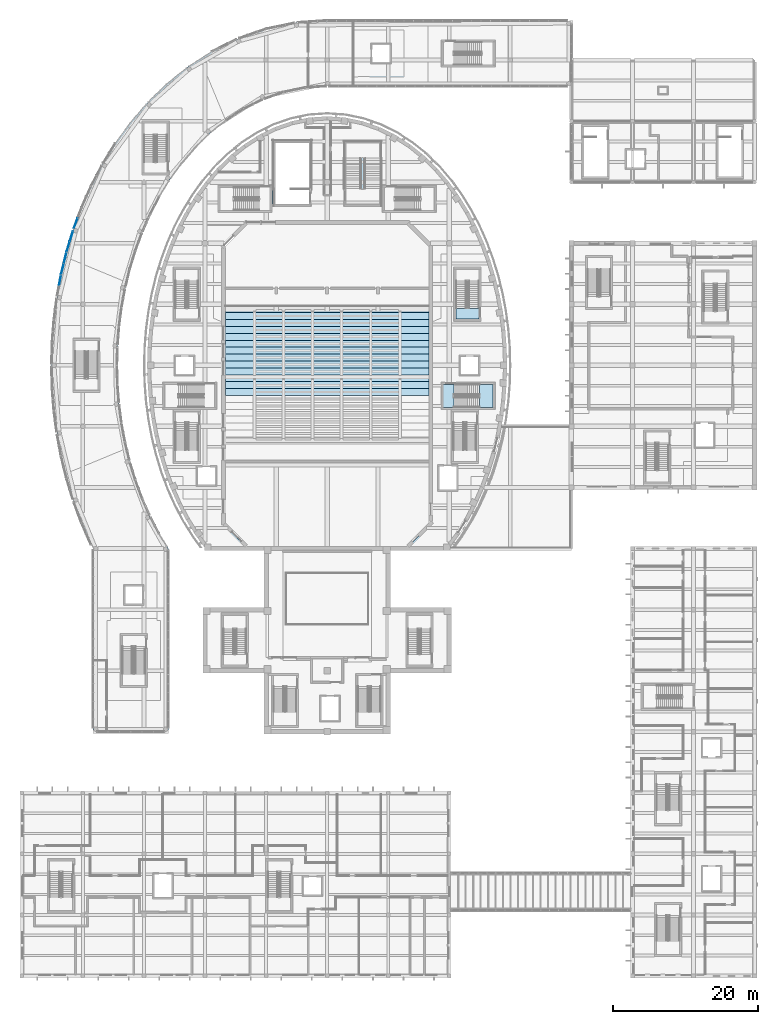
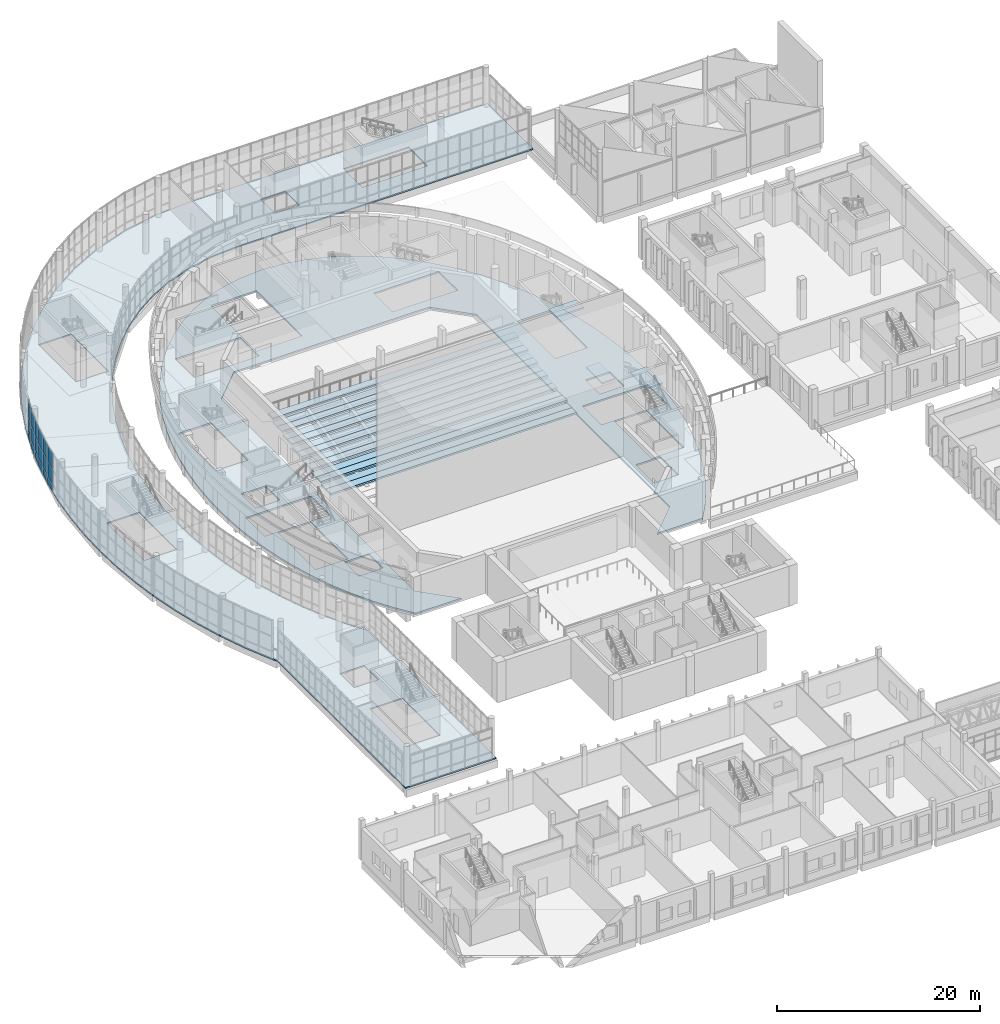
# One storey, part 49 of 119: 18 plates, 18 slabs, 6 elements without a shape of their own.
"""IFC4 building model written with IfcOpenShell, lengths in metres."""

from ifc_helpers import new_model, si_unit, direction, frame, origin, origin_2d, place, context, subcontext, project, spatial, polyline, rectangle, outline, extrude, material, layer, layer_set, type_object, element, aggregate, save


model = new_model("IFC4")

# Units and contexts
model_context = context("Model", 3, precision=1e-05, world=origin(), true_north=direction((0.0, 1.0)))
body_context = subcontext(model_context, "Body", "Model", "MODEL_VIEW")
ifc_project = project(units=[si_unit("LENGTHUNIT", "METRE"), si_unit("AREAUNIT", "SQUARE_METRE"), si_unit("VOLUMEUNIT", "CUBIC_METRE"), si_unit("PLANEANGLEUNIT", "RADIAN"), si_unit("MASSUNIT", "GRAM", prefix="KILO")], contexts=[model_context])

# Site, building, storey
site_placement = place(None, origin())
site = spatial("IfcSite", under=ifc_project, at=site_placement, CompositionType="ELEMENT")
building_placement = place(site_placement, origin())
building = spatial("IfcBuilding", under=site, at=building_placement, Name="Larchfold Concert Hall", CompositionType="ELEMENT")
storey_placement = place(building_placement, frame((0.0, 0.0, 4.800048828125)))
storey = spatial("IfcBuildingStorey", under=building, at=storey_placement, Name="L01", CompositionType="ELEMENT", Elevation=4.800048828125)

# Curtain wall, plates
ifc_material_1 = material(Name="Anodised graphite aluminium curtain wall", Category="aluminium")
ifc_layer_1 = layer(ifc_material_1, 0.14990234375)
ifc_layer_set_1 = layer_set([ifc_layer_1], Name="Anodised graphite aluminium curtain wall")
curtain_wall_type = type_object("IfcCurtainWallType", Name="Curtain wall WG", PredefinedType="NOTDEFINED", material=ifc_layer_set_1)
curtain_wall_1_placement = place(storey_placement, origin())
curtain_wall_1 = element("IfcCurtainWall", 1, at=curtain_wall_1_placement, inside=storey, type_object=curtain_wall_type, Name="Curtain wall CW0189", PredefinedType="NOTDEFINED")
ifc_material_2 = material(Name="Insulated glazing unit, glass", Category="glass")
ifc_layer_2 = layer(ifc_material_2, 0.028076171875)
ifc_layer_set_2 = layer_set([ifc_layer_2], Name="Insulated glazing unit, glass")
plate_type_1 = type_object("IfcPlateType", Name="Glass panel 28", PredefinedType="CURTAIN_PANEL", material=ifc_layer_set_2)
plate_1_placement = place(storey_placement, frame((8.01708984375, 104.129638671875, 0.93994140625), z_axis=(0.0, 0.0, 1.0), x_axis=(-0.346592402451, -0.938015834921, 0.0)))
plate_1 = element("IfcPlate", 2, at=plate_1_placement, type_object=plate_type_1, Name="CW0189 panel 2.2", PredefinedType="CURTAIN_PANEL", context=body_context, shape_type="SweptSolid", body=[
    extrude(rectangle(XDim=1.446533203125, YDim=0.028076171875, at=origin_2d()), origin(), (0.0, 0.0, 1.0), 1.719970703125),
])
plate_2_placement = place(storey_placement, frame((8.01708984375, 104.129638671875, 2.740234375), z_axis=(0.0, 0.0, 1.0), x_axis=(-0.346592402451, -0.938015834921, 0.0)))
plate_2 = element("IfcPlate", 3, at=plate_2_placement, type_object=plate_type_1, Name="CW0189 panel 2.3", PredefinedType="CURTAIN_PANEL", context=body_context, shape_type="SweptSolid", body=[
    extrude(rectangle(XDim=1.446533203125, YDim=0.028076171875, at=origin_2d()), origin(), (0.0, 0.0, 1.0), 1.829833984375),
])

curtain_wall_2_placement = place(storey_placement, origin())
curtain_wall_2 = element("IfcCurtainWall", 4, at=curtain_wall_2_placement, inside=storey, type_object=curtain_wall_type, Name="Curtain wall CW0190", PredefinedType="NOTDEFINED")
plate_3_placement = place(storey_placement, frame((7.412109375, 102.3310546875, 0.93994140625), z_axis=(0.0, 0.0, 1.0), x_axis=(-0.290621975967, -0.956837952364, 0.0)))
plate_3 = element("IfcPlate", 5, at=plate_3_placement, type_object=plate_type_1, Name="CW0190 panel 1.2", PredefinedType="CURTAIN_PANEL", context=body_context, shape_type="SweptSolid", body=[
    extrude(rectangle(XDim=1.431396484375, YDim=0.028076171875, at=origin_2d()), origin(), (0.0, 0.0, 1.0), 1.719970703125),
])
plate_4_placement = place(storey_placement, frame((7.412109375, 102.3310546875, 2.740234375), z_axis=(0.0, 0.0, 1.0), x_axis=(-0.290621975967, -0.956837952364, 0.0)))
plate_4 = element("IfcPlate", 6, at=plate_4_placement, type_object=plate_type_1, Name="CW0190 panel 1.3", PredefinedType="CURTAIN_PANEL", context=body_context, shape_type="SweptSolid", body=[
    extrude(rectangle(XDim=1.431396484375, YDim=0.028076171875, at=origin_2d()), origin(), (0.0, 0.0, 1.0), 1.829833984375),
])
plate_5_placement = place(storey_placement, frame((6.978515625, 100.904052734375, 0.93994140625), z_axis=(0.0, 0.0, 1.0), x_axis=(-0.290621975967, -0.956837952364, 0.0)))
plate_5 = element("IfcPlate", 7, at=plate_5_placement, type_object=plate_type_1, Name="CW0190 panel 2.2", PredefinedType="CURTAIN_PANEL", context=body_context, shape_type="SweptSolid", body=[
    extrude(rectangle(XDim=1.431396484375, YDim=0.028076171875, at=origin_2d()), origin(), (0.0, 0.0, 1.0), 1.719970703125),
])
plate_6_placement = place(storey_placement, frame((6.978515625, 100.904052734375, 2.740234375), z_axis=(0.0, 0.0, 1.0), x_axis=(-0.290621975967, -0.956837952364, 0.0)))
plate_6 = element("IfcPlate", 8, at=plate_6_placement, type_object=plate_type_1, Name="CW0190 panel 2.3", PredefinedType="CURTAIN_PANEL", context=body_context, shape_type="SweptSolid", body=[
    extrude(rectangle(XDim=1.431396484375, YDim=0.028076171875, at=origin_2d()), origin(), (0.0, 0.0, 1.0), 1.829833984375),
])

curtain_wall_3_placement = place(storey_placement, origin())
curtain_wall_3 = element("IfcCurtainWall", 9, at=curtain_wall_3_placement, inside=storey, type_object=curtain_wall_type, Name="Curtain wall CW0191", PredefinedType="NOTDEFINED")
plate_7_placement = place(storey_placement, frame((6.56201171875, 99.37451171875, 0.93994140625), z_axis=(0.0, 0.0, 1.0), x_axis=(-0.235938309687, -0.97176803509, 0.0)))
plate_7 = element("IfcPlate", 10, at=plate_7_placement, type_object=plate_type_1, Name="CW0191 panel 1.2", PredefinedType="CURTAIN_PANEL", context=body_context, shape_type="SweptSolid", body=[
    extrude(rectangle(XDim=1.50048828125, YDim=0.028076171875, at=origin_2d()), origin(), (0.0, 0.0, 1.0), 1.719970703125),
])
plate_8_placement = place(storey_placement, frame((6.56201171875, 99.37451171875, 2.740234375), z_axis=(0.0, 0.0, 1.0), x_axis=(-0.235938309687, -0.97176803509, 0.0)))
plate_8 = element("IfcPlate", 11, at=plate_8_placement, type_object=plate_type_1, Name="CW0191 panel 1.3", PredefinedType="CURTAIN_PANEL", context=body_context, shape_type="SweptSolid", body=[
    extrude(rectangle(XDim=1.50048828125, YDim=0.028076171875, at=origin_2d()), origin(), (0.0, 0.0, 1.0), 1.829833984375),
])
plate_9_placement = place(storey_placement, frame((6.19384765625, 97.858154296875, 0.93994140625), z_axis=(0.0, 0.0, 1.0), x_axis=(-0.235938309687, -0.97176803509, 0.0)))
plate_9 = element("IfcPlate", 12, at=plate_9_placement, type_object=plate_type_1, Name="CW0191 panel 2.2", PredefinedType="CURTAIN_PANEL", context=body_context, shape_type="SweptSolid", body=[
    extrude(rectangle(XDim=1.50048828125, YDim=0.028076171875, at=origin_2d()), origin(), (0.0, 0.0, 1.0), 1.719970703125),
])
plate_10_placement = place(storey_placement, frame((6.19384765625, 97.858154296875, 2.740234375), z_axis=(0.0, 0.0, 1.0), x_axis=(-0.235938309687, -0.97176803509, 0.0)))
plate_10 = element("IfcPlate", 13, at=plate_10_placement, type_object=plate_type_1, Name="CW0191 panel 2.3", PredefinedType="CURTAIN_PANEL", context=body_context, shape_type="SweptSolid", body=[
    extrude(rectangle(XDim=1.50048828125, YDim=0.028076171875, at=origin_2d()), origin(), (0.0, 0.0, 1.0), 1.829833984375),
])

curtain_wall_4_placement = place(storey_placement, origin())
curtain_wall_4 = element("IfcCurtainWall", 14, at=curtain_wall_4_placement, inside=storey, type_object=curtain_wall_type, Name="Curtain wall CW0192", PredefinedType="NOTDEFINED")
plate_11_placement = place(storey_placement, frame((5.863525390625, 96.32080078125, 0.93994140625), z_axis=(0.0, 0.0, 1.0), x_axis=(-0.182346464695, -0.983234339724, 0.0)))
plate_11 = element("IfcPlate", 15, at=plate_11_placement, type_object=plate_type_1, Name="CW0192 panel 1.2", PredefinedType="CURTAIN_PANEL", context=body_context, shape_type="SweptSolid", body=[
    extrude(rectangle(XDim=1.405517578125, YDim=0.028076171875, at=origin_2d()), origin(), (0.0, 0.0, 1.0), 1.719970703125),
])
plate_12_placement = place(storey_placement, frame((5.863525390625, 96.32080078125, 2.740234375), z_axis=(0.0, 0.0, 1.0), x_axis=(-0.182346464695, -0.983234339724, 0.0)))
plate_12 = element("IfcPlate", 16, at=plate_12_placement, type_object=plate_type_1, Name="CW0192 panel 1.3", PredefinedType="CURTAIN_PANEL", context=body_context, shape_type="SweptSolid", body=[
    extrude(rectangle(XDim=1.405517578125, YDim=0.028076171875, at=origin_2d()), origin(), (0.0, 0.0, 1.0), 1.829833984375),
])

# Plate
ifc_material_3 = material(Name="White insulated panel")
ifc_layer_3 = layer(ifc_material_3, 0.06005859375)
ifc_layer_set_3 = layer_set([ifc_layer_3], Name="White insulated panel")
plate_type_2 = type_object("IfcPlateType", Name="Insulated spandrel panel 60", PredefinedType="CURTAIN_PANEL", material=ifc_layer_set_3)
plate_13_placement = place(storey_placement, frame((8.01708984375, 104.129638671875, 0.080078125), z_axis=(0.0, 0.0, 1.0), x_axis=(-0.346592402451, -0.938015834921, 0.0)))
plate_13 = element("IfcPlate", 17, at=plate_13_placement, type_object=plate_type_2, Name="CW0189 panel 2.1", PredefinedType="CURTAIN_PANEL", context=body_context, shape_type="SweptSolid", body=[
    extrude(rectangle(XDim=1.446533203125, YDim=0.06005859375, at=origin_2d()), origin(), (0.0, 0.0, 1.0), 0.77978515625),
])

aggregate(curtain_wall_1, [plate_13, plate_1, plate_2])

plate_14_placement = place(storey_placement, frame((7.412109375, 102.3310546875, 0.080078125), z_axis=(0.0, 0.0, 1.0), x_axis=(-0.290621975967, -0.956837952364, 0.0)))
plate_14 = element("IfcPlate", 18, at=plate_14_placement, type_object=plate_type_2, Name="CW0190 panel 1.1", PredefinedType="CURTAIN_PANEL", context=body_context, shape_type="SweptSolid", body=[
    extrude(rectangle(XDim=1.431396484375, YDim=0.06005859375, at=origin_2d()), origin(), (0.0, 0.0, 1.0), 0.77978515625),
])

plate_15_placement = place(storey_placement, frame((6.978515625, 100.904052734375, 0.080078125), z_axis=(0.0, 0.0, 1.0), x_axis=(-0.290621975967, -0.956837952364, 0.0)))
plate_15 = element("IfcPlate", 19, at=plate_15_placement, type_object=plate_type_2, Name="CW0190 panel 2.1", PredefinedType="CURTAIN_PANEL", context=body_context, shape_type="SweptSolid", body=[
    extrude(rectangle(XDim=1.431396484375, YDim=0.06005859375, at=origin_2d()), origin(), (0.0, 0.0, 1.0), 0.77978515625),
])

aggregate(curtain_wall_2, [plate_14, plate_3, plate_4, plate_15, plate_5, plate_6])

plate_16_placement = place(storey_placement, frame((6.56201171875, 99.37451171875, 0.080078125), z_axis=(0.0, 0.0, 1.0), x_axis=(-0.235938309687, -0.97176803509, 0.0)))
plate_16 = element("IfcPlate", 20, at=plate_16_placement, type_object=plate_type_2, Name="CW0191 panel 1.1", PredefinedType="CURTAIN_PANEL", context=body_context, shape_type="SweptSolid", body=[
    extrude(rectangle(XDim=1.50048828125, YDim=0.06005859375, at=origin_2d()), origin(), (0.0, 0.0, 1.0), 0.77978515625),
])

plate_17_placement = place(storey_placement, frame((6.19384765625, 97.858154296875, 0.080078125), z_axis=(0.0, 0.0, 1.0), x_axis=(-0.235938309687, -0.97176803509, 0.0)))
plate_17 = element("IfcPlate", 21, at=plate_17_placement, type_object=plate_type_2, Name="CW0191 panel 2.1", PredefinedType="CURTAIN_PANEL", context=body_context, shape_type="SweptSolid", body=[
    extrude(rectangle(XDim=1.50048828125, YDim=0.06005859375, at=origin_2d()), origin(), (0.0, 0.0, 1.0), 0.77978515625),
])

aggregate(curtain_wall_3, [plate_16, plate_7, plate_8, plate_17, plate_9, plate_10])

plate_18_placement = place(storey_placement, frame((5.863525390625, 96.32080078125, 0.080078125), z_axis=(0.0, 0.0, 1.0), x_axis=(-0.182346464695, -0.983234339724, 0.0)))
plate_18 = element("IfcPlate", 22, at=plate_18_placement, type_object=plate_type_2, Name="CW0192 panel 1.1", PredefinedType="CURTAIN_PANEL", context=body_context, shape_type="SweptSolid", body=[
    extrude(rectangle(XDim=1.405517578125, YDim=0.06005859375, at=origin_2d()), origin(), (0.0, 0.0, 1.0), 0.77978515625),
])

aggregate(curtain_wall_4, [plate_18, plate_11, plate_12])

# Slabs
ifc_material_4 = material(Name="Concrete C35/45", Category="concrete")
ifc_layer_4 = layer(ifc_material_4, 0.14990234375)
ifc_layer_set_4 = layer_set([ifc_layer_4], Name="Concrete C35/45")
slab_type_1 = type_object("IfcSlabType", Name="Slab 150 on joists", PredefinedType="FLOOR", material=ifc_layer_set_4)
slab_1_placement = place(storey_placement, frame((0.0, 0.0, -0.150146484375)))
element("IfcSlab", 23, at=slab_1_placement, inside=storey, type_object=slab_type_1, Name="Slab S0010", PredefinedType="FLOOR", context=body_context, shape_type="SweptSolid", body=[
    extrude(outline(polyline([(20.748779296875, 34.199951171875), (20.748779296875, 59.39990234375), (19.5185546875, 61.3994140625), (18.2529296875, 63.821044921875), (17.15625, 66.303955078125), (16.22021484375, 68.8369140625), (15.43896484375, 71.40966796875), (14.806884765625, 74.01318359375), (14.319580078125, 76.64013671875), (13.973876953125, 79.2841796875), (13.767333984375, 81.939453125), (13.69873046875, 84.60009765625), (13.767333984375, 87.2607421875), (13.973876953125, 89.916015625), (14.319580078125, 92.56005859375), (14.806884765625, 95.18701171875), (15.43896484375, 97.79052734375), (16.22021484375, 100.36328125), (17.15625, 102.896240234375), (18.2529296875, 105.379150390625), (19.5185546875, 107.80078125), (20.961669921875, 110.145751953125), (22.591552734375, 112.39599609375), (24.41748046875, 114.52783203125), (26.4482421875, 116.513427734375), (28.689697265625, 118.3173828125), (31.140625, 119.8974609375), (33.79150390625, 121.204833984375), (36.61669921875, 122.18896484375), (39.57275390625, 122.802001953125), (42.60009765625, 123.010498046875), (76.199951171875, 123.0), (76.199951171875, 132.0), (42.60009765625, 132.0), (38.343994140625, 131.738525390625), (34.212890625, 130.8818359375), (30.3076171875, 129.521728515625), (26.697509765625, 127.740966796875), (23.41552734375, 125.62548828125), (20.466796875, 123.252197265625), (17.841064453125, 120.6845703125), (15.517822265625, 117.972412109375), (13.47412109375, 115.151123046875), (11.688232421875, 112.2490234375), (10.139892578125, 109.285888671875), (8.810791015625, 106.277587890625), (7.685791015625, 103.23291015625), (6.753173828125, 100.161865234375), (6.002685546875, 97.07080078125), (5.4267578125, 93.96533203125), (5.01904296875, 90.84912109375), (4.7763671875, 87.725830078125), (4.695556640625, 84.60009765625), (4.7763671875, 81.474365234375), (5.01904296875, 78.35107421875), (5.4267578125, 75.23486328125), (6.002685546875, 72.12939453125), (6.753173828125, 69.038330078125), (7.685791015625, 65.96728515625), (8.810791015625, 62.922607421875), (10.139892578125, 59.914306640625), (10.408447265625, 59.39990234375), (10.408447265625, 34.199951171875), (20.748779296875, 34.199951171875)]), holes=[polyline([(14.14990234375, 40.300048828125), (14.14990234375, 47.699951171875), (17.85009765625, 47.699951171875), (17.85009765625, 40.300048828125), (14.14990234375, 40.300048828125)]), polyline([(14.60009765625, 54.39990234375), (17.39990234375, 54.39990234375), (17.39990234375, 51.60009765625), (14.60009765625, 51.60009765625), (14.60009765625, 54.39990234375)]), polyline([(7.64990234375, 88.300048828125), (11.35009765625, 88.300048828125), (11.35009765625, 80.89990234375), (7.64990234375, 80.89990234375), (7.64990234375, 88.300048828125)]), polyline([(17.14990234375, 110.800048828125), (17.14990234375, 118.199951171875), (20.85009765625, 118.199951171875), (20.85009765625, 110.800048828125), (17.14990234375, 110.800048828125)]), polyline([(48.60009765625, 128.89990234375), (51.39990234375, 128.89990234375), (51.39990234375, 126.10009765625), (48.60009765625, 126.10009765625), (48.60009765625, 128.89990234375)]), polyline([(58.300048828125, 129.35009765625), (65.699951171875, 129.35009765625), (65.699951171875, 125.64990234375), (58.300048828125, 125.64990234375), (58.300048828125, 129.35009765625)])]), origin(), (0.0, 0.0, 1.0), 0.150146484375),
])
ifc_material_5 = material(Name="Concrete C35/45", Category="concrete")
ifc_layer_5 = layer(ifc_material_5, 0.199951171875)
ifc_layer_set_5 = layer_set([ifc_layer_5], Name="Concrete C35/45")
slab_type_2 = type_object("IfcSlabType", Name="Slab 200", PredefinedType="FLOOR", material=ifc_layer_set_5)
slab_2_placement = place(storey_placement, frame((0.0, 0.0, -0.2001953125)))
element("IfcSlab", 24, at=slab_2_placement, inside=storey, type_object=slab_type_2, Name="Slab S0007", PredefinedType="FLOOR", context=body_context, shape_type="SweptSolid", body=[
    extrude(outline(polyline([(24.913818359375, 61.515380859375), (26.27978515625, 59.64990234375), (31.45751953125, 59.64990234375), (28.078857421875, 63.02880859375), (28.070068359375, 101.10009765625), (31.478759765625, 104.521240234375), (53.699951171875, 104.530029296875), (57.121337890625, 101.121337890625), (57.130126953125, 63.050048828125), (53.742431640625, 59.64990234375), (58.92041015625, 59.64990234375), (60.286376953125, 61.515380859375), (61.56884765625, 63.580078125), (62.703125, 65.731201171875), (63.69287109375, 67.953369140625), (64.541748046875, 70.234375), (65.253662109375, 72.562255859375), (65.83203125, 74.927490234375), (66.27880859375, 77.321533203125), (66.5966796875, 79.736328125), (66.786865234375, 82.164794921875), (66.85009765625, 84.60009765625), (66.78759765625, 87.020263671875), (66.599853515625, 89.433837890625), (66.285888671875, 91.833984375), (65.844482421875, 94.2138671875), (65.273681640625, 96.5654296875), (64.570556640625, 98.88037109375), (63.732177734375, 101.149169921875), (62.75537109375, 103.360595703125), (61.635986328125, 105.502685546875), (60.3701171875, 107.5595703125), (58.953857421875, 109.514892578125), (57.384765625, 111.3466796875), (55.661376953125, 113.03173828125), (53.78564453125, 114.541748046875), (51.763671875, 115.844970703125), (49.60888671875, 116.907958984375), (47.34130859375, 117.697509765625), (44.992431640625, 118.1845703125), (42.60009765625, 118.349609375), (40.207763671875, 118.1845703125), (37.85888671875, 117.697509765625), (35.59130859375, 116.907958984375), (33.4365234375, 115.844970703125), (31.41455078125, 114.541748046875), (29.538818359375, 113.03173828125), (27.8154296875, 111.3466796875), (26.246337890625, 109.514892578125), (24.830078125, 107.5595703125), (23.564208984375, 105.502685546875), (22.44482421875, 103.360595703125), (21.468017578125, 101.149169921875), (20.629638671875, 98.88037109375), (19.926513671875, 96.5654296875), (19.355712890625, 94.2138671875), (18.914306640625, 91.833984375), (18.600341796875, 89.433837890625), (18.41259765625, 87.020263671875), (18.35009765625, 84.60009765625), (18.413330078125, 82.164794921875), (18.603515625, 79.736328125), (18.92138671875, 77.321533203125), (19.3681640625, 74.927490234375), (19.946533203125, 72.562255859375), (20.658447265625, 70.234375), (21.50732421875, 67.953369140625), (22.4970703125, 65.731201171875), (23.63134765625, 63.580078125), (24.913818359375, 61.515380859375)]), holes=[polyline([(24.60009765625, 70.800048828125), (27.39990234375, 70.800048828125), (27.39990234375, 68.0), (24.60009765625, 68.0), (24.60009765625, 70.800048828125)]), polyline([(25.14990234375, 78.5), (25.14990234375, 71.10009765625), (21.449951171875, 71.10009765625), (21.449951171875, 78.5), (25.14990234375, 78.5)]), polyline([(27.39990234375, 82.25), (27.39990234375, 78.550048828125), (20.0, 78.550048828125), (20.0, 82.25), (27.39990234375, 82.25)]), polyline([(21.60009765625, 86.0), (24.39990234375, 86.0), (24.39990234375, 83.199951171875), (21.60009765625, 83.199951171875), (21.60009765625, 86.0)]), polyline([(25.14990234375, 98.10009765625), (25.14990234375, 90.699951171875), (21.449951171875, 90.699951171875), (21.449951171875, 98.10009765625), (25.14990234375, 98.10009765625)]), polyline([(35.0, 109.35009765625), (35.0, 105.64990234375), (27.60009765625, 105.64990234375), (27.60009765625, 109.35009765625), (35.0, 109.35009765625)]), polyline([(35.199951171875, 115.5), (40.39990234375, 115.5), (40.39990234375, 106.5), (35.199951171875, 106.5), (35.199951171875, 115.5)]), polyline([(60.60009765625, 70.89990234375), (60.60009765625, 67.300048828125), (57.800048828125, 67.300048828125), (57.800048828125, 70.89990234375), (60.60009765625, 70.89990234375)]), polyline([(63.39990234375, 78.5), (63.39990234375, 71.10009765625), (59.699951171875, 71.10009765625), (59.699951171875, 78.5), (63.39990234375, 78.5)]), polyline([(65.699951171875, 82.25), (65.699951171875, 78.550048828125), (58.300048828125, 78.550048828125), (58.300048828125, 82.25), (65.699951171875, 82.25)]), polyline([(63.60009765625, 86.0), (63.60009765625, 83.199951171875), (60.800048828125, 83.199951171875), (60.800048828125, 86.0), (63.60009765625, 86.0)]), polyline([(63.75, 98.10009765625), (63.75, 90.699951171875), (60.050048828125, 90.699951171875), (60.050048828125, 98.10009765625), (63.75, 98.10009765625)]), polyline([(57.60009765625, 109.35009765625), (57.60009765625, 105.64990234375), (50.199951171875, 105.64990234375), (50.199951171875, 109.35009765625), (57.60009765625, 109.35009765625)])]), origin(), (0.0, 0.0, 1.0), 0.2001953125),
])
ifc_material_6 = material(Name="Precast concrete C40/50", Category="concrete")
ifc_layer_6 = layer(ifc_material_6, 0.219970703125)
ifc_layer_set_6 = layer_set([ifc_layer_6], Name="Precast concrete C40/50")
slab_type_3 = type_object("IfcSlabType", Name="Slab 220 hall tier tread", PredefinedType="FLOOR", material=ifc_layer_set_6)
slab_3_placement = place(storey_placement, frame((0.0, 0.0, 0.71484375)))
element("IfcSlab", 25, at=slab_3_placement, inside=storey, type_object=slab_type_3, Name="Tread S08", PredefinedType="FLOOR", context=body_context, shape_type="SweptSolid", body=[
    extrude(outline(polyline([(56.60009765625, 81.39990234375), (28.60009765625, 81.39990234375), (28.60009765625, 80.449951171875), (56.60009765625, 80.449951171875), (56.60009765625, 81.39990234375)])), origin(), (0.0, 0.0, 1.0), 0.22021484375),
])
slab_4_placement = place(storey_placement, frame((0.0, 0.0, 0.71484375)))
element("IfcSlab", 26, at=slab_4_placement, inside=storey, type_object=slab_type_3, Name="Tread S09", PredefinedType="FLOOR", context=body_context, shape_type="SweptSolid", body=[
    extrude(outline(polyline([(56.60009765625, 82.35009765625), (28.60009765625, 82.35009765625), (28.60009765625, 81.39990234375), (56.60009765625, 81.39990234375), (56.60009765625, 82.35009765625)])), origin(), (0.0, 0.0, 1.0), 0.22021484375),
])
slab_5_placement = place(storey_placement, frame((0.0, 0.0, 1.035888671875)))
element("IfcSlab", 27, at=slab_5_placement, inside=storey, type_object=slab_type_3, Name="Tread S10", PredefinedType="FLOOR", context=body_context, shape_type="SweptSolid", body=[
    extrude(outline(polyline([(56.60009765625, 83.300048828125), (28.60009765625, 83.300048828125), (28.60009765625, 82.35009765625), (56.60009765625, 82.35009765625), (56.60009765625, 83.300048828125)])), origin(), (0.0, 0.0, 1.0), 0.219970703125),
])
slab_6_placement = place(storey_placement, frame((0.0, 0.0, 1.035888671875)))
element("IfcSlab", 28, at=slab_6_placement, inside=storey, type_object=slab_type_3, Name="Tread S11", PredefinedType="FLOOR", context=body_context, shape_type="SweptSolid", body=[
    extrude(outline(polyline([(56.60009765625, 84.25), (28.60009765625, 84.25), (28.60009765625, 83.300048828125), (56.60009765625, 83.300048828125), (56.60009765625, 84.25)])), origin(), (0.0, 0.0, 1.0), 0.219970703125),
])
slab_7_placement = place(storey_placement, frame((0.0, 0.0, 1.376953125)))
element("IfcSlab", 29, at=slab_7_placement, inside=storey, type_object=slab_type_3, Name="Tread S12", PredefinedType="FLOOR", context=body_context, shape_type="SweptSolid", body=[
    extrude(outline(polyline([(56.60009765625, 85.199951171875), (28.60009765625, 85.199951171875), (28.60009765625, 84.25), (56.60009765625, 84.25), (56.60009765625, 85.199951171875)])), origin(), (0.0, 0.0, 1.0), 0.219970703125),
])
slab_8_placement = place(storey_placement, frame((0.0, 0.0, 1.376953125)))
element("IfcSlab", 30, at=slab_8_placement, inside=storey, type_object=slab_type_3, Name="Tread S13", PredefinedType="FLOOR", context=body_context, shape_type="SweptSolid", body=[
    extrude(outline(polyline([(56.60009765625, 86.14990234375), (28.60009765625, 86.14990234375), (28.60009765625, 85.199951171875), (56.60009765625, 85.199951171875), (56.60009765625, 86.14990234375)])), origin(), (0.0, 0.0, 1.0), 0.219970703125),
])
slab_9_placement = place(storey_placement, frame((0.0, 0.0, 1.73486328125)))
element("IfcSlab", 31, at=slab_9_placement, inside=storey, type_object=slab_type_3, Name="Tread S14", PredefinedType="FLOOR", context=body_context, shape_type="SweptSolid", body=[
    extrude(outline(polyline([(56.60009765625, 87.10009765625), (28.60009765625, 87.10009765625), (28.60009765625, 86.14990234375), (56.60009765625, 86.14990234375), (56.60009765625, 87.10009765625)])), origin(), (0.0, 0.0, 1.0), 0.219970703125),
])
slab_10_placement = place(storey_placement, frame((0.0, 0.0, 1.73486328125)))
element("IfcSlab", 32, at=slab_10_placement, inside=storey, type_object=slab_type_3, Name="Tread S15", PredefinedType="FLOOR", context=body_context, shape_type="SweptSolid", body=[
    extrude(outline(polyline([(56.60009765625, 88.050048828125), (28.60009765625, 88.050048828125), (28.60009765625, 87.10009765625), (56.60009765625, 87.10009765625), (56.60009765625, 88.050048828125)])), origin(), (0.0, 0.0, 1.0), 0.219970703125),
])
slab_11_placement = place(storey_placement, frame((0.0, 0.0, 2.10791015625)))
element("IfcSlab", 33, at=slab_11_placement, inside=storey, type_object=slab_type_3, Name="Tread S16", PredefinedType="FLOOR", context=body_context, shape_type="SweptSolid", body=[
    extrude(outline(polyline([(56.60009765625, 89.0), (28.60009765625, 89.0), (28.60009765625, 88.050048828125), (56.60009765625, 88.050048828125), (56.60009765625, 89.0)])), origin(), (0.0, 0.0, 1.0), 0.219970703125),
])
slab_12_placement = place(storey_placement, frame((0.0, 0.0, 2.10791015625)))
element("IfcSlab", 34, at=slab_12_placement, inside=storey, type_object=slab_type_3, Name="Tread S17", PredefinedType="FLOOR", context=body_context, shape_type="SweptSolid", body=[
    extrude(outline(polyline([(56.60009765625, 89.949951171875), (28.60009765625, 89.949951171875), (28.60009765625, 89.0), (56.60009765625, 89.0), (56.60009765625, 89.949951171875)])), origin(), (0.0, 0.0, 1.0), 0.219970703125),
])
slab_13_placement = place(storey_placement, frame((0.0, 0.0, 2.494873046875)))
element("IfcSlab", 35, at=slab_13_placement, inside=storey, type_object=slab_type_3, Name="Tread S18", PredefinedType="FLOOR", context=body_context, shape_type="SweptSolid", body=[
    extrude(outline(polyline([(56.60009765625, 90.89990234375), (28.60009765625, 90.89990234375), (28.60009765625, 89.949951171875), (56.60009765625, 89.949951171875), (56.60009765625, 90.89990234375)])), origin(), (0.0, 0.0, 1.0), 0.219970703125),
])
slab_14_placement = place(storey_placement, frame((0.0, 0.0, 2.494873046875)))
element("IfcSlab", 36, at=slab_14_placement, inside=storey, type_object=slab_type_3, Name="Tread S19", PredefinedType="FLOOR", context=body_context, shape_type="SweptSolid", body=[
    extrude(outline(polyline([(56.60009765625, 91.85009765625), (28.60009765625, 91.85009765625), (28.60009765625, 90.89990234375), (56.60009765625, 90.89990234375), (56.60009765625, 91.85009765625)])), origin(), (0.0, 0.0, 1.0), 0.219970703125),
])
slab_15_placement = place(storey_placement, frame((0.0, 0.0, 2.89404296875)))
element("IfcSlab", 37, at=slab_15_placement, inside=storey, type_object=slab_type_3, Name="Tread S20", PredefinedType="FLOOR", context=body_context, shape_type="SweptSolid", body=[
    extrude(outline(polyline([(56.60009765625, 92.800048828125), (28.60009765625, 92.800048828125), (28.60009765625, 91.85009765625), (56.60009765625, 91.85009765625), (56.60009765625, 92.800048828125)])), origin(), (0.0, 0.0, 1.0), 0.219970703125),
])

# Stair, slab
ifc_material_7 = material(Name="Concrete C35/45", Category="concrete")
stair_type = type_object("IfcStairType", Name="Stair RC half-turn enclosed", PredefinedType="HALF_TURN_STAIR", material=ifc_material_7)
stair_1_placement = place(storey_placement, origin())
stair_1 = element("IfcStair", 38, at=stair_1_placement, inside=storey, type_object=stair_type, Name="Stair DS1", PredefinedType="HALF_TURN_STAIR")
ifc_material_8 = material(Name="Concrete C35/45", Category="concrete")
ifc_layer_7 = layer(ifc_material_8, 0.199951171875)
ifc_layer_set_7 = layer_set([ifc_layer_7], Name="Concrete C35/45")
slab_type_4 = type_object("IfcSlabType", Name="Stair landing RC 200", PredefinedType="LANDING", material=ifc_layer_set_7)
slab_16_placement = place(storey_placement, frame((0.0, 0.0, 4.599853515625)))
slab_16 = element("IfcSlab", 39, at=slab_16_placement, type_object=slab_type_4, Name="ST01 landing 2", PredefinedType="LANDING", context=body_context, shape_type="SweptSolid", body=[
    extrude(outline(polyline([(63.5, 90.949951171875), (63.5, 92.449951171875), (60.300048828125, 92.449951171875), (60.300048828125, 90.949951171875), (63.5, 90.949951171875)])), origin(), (0.0, 0.0, 1.0), 0.2001953125),
])
aggregate(stair_1, [slab_16])

# Stair, slabs
stair_2_placement = place(storey_placement, origin())
stair_2 = element("IfcStair", 40, at=stair_2_placement, inside=storey, type_object=stair_type, Name="Stair DS8", PredefinedType="HALF_TURN_STAIR")
slab_17_placement = place(storey_placement, frame((0.0, 0.0, 2.199951171875)))
slab_17 = element("IfcSlab", 41, at=slab_17_placement, type_object=slab_type_4, Name="ST08 landing 1", PredefinedType="LANDING", context=body_context, shape_type="SweptSolid", body=[
    extrude(outline(polyline([(63.56005859375, 78.800048828125), (65.449951171875, 78.800048828125), (65.449951171875, 82.0), (63.56005859375, 82.0), (63.56005859375, 78.800048828125)])), origin(), (0.0, 0.0, 1.0), 0.199951171875),
])
slab_18_placement = place(storey_placement, frame((0.0, 0.0, 4.599853515625)))
slab_18 = element("IfcSlab", 42, at=slab_18_placement, type_object=slab_type_4, Name="ST08 landing 2", PredefinedType="LANDING", context=body_context, shape_type="SweptSolid", body=[
    extrude(outline(polyline([(58.550048828125, 78.800048828125), (60.050048828125, 78.800048828125), (60.050048828125, 82.0), (58.550048828125, 82.0), (58.550048828125, 78.800048828125)])), origin(), (0.0, 0.0, 1.0), 0.2001953125),
])
aggregate(stair_2, [slab_17, slab_18])

save(model, "model.ifc")
